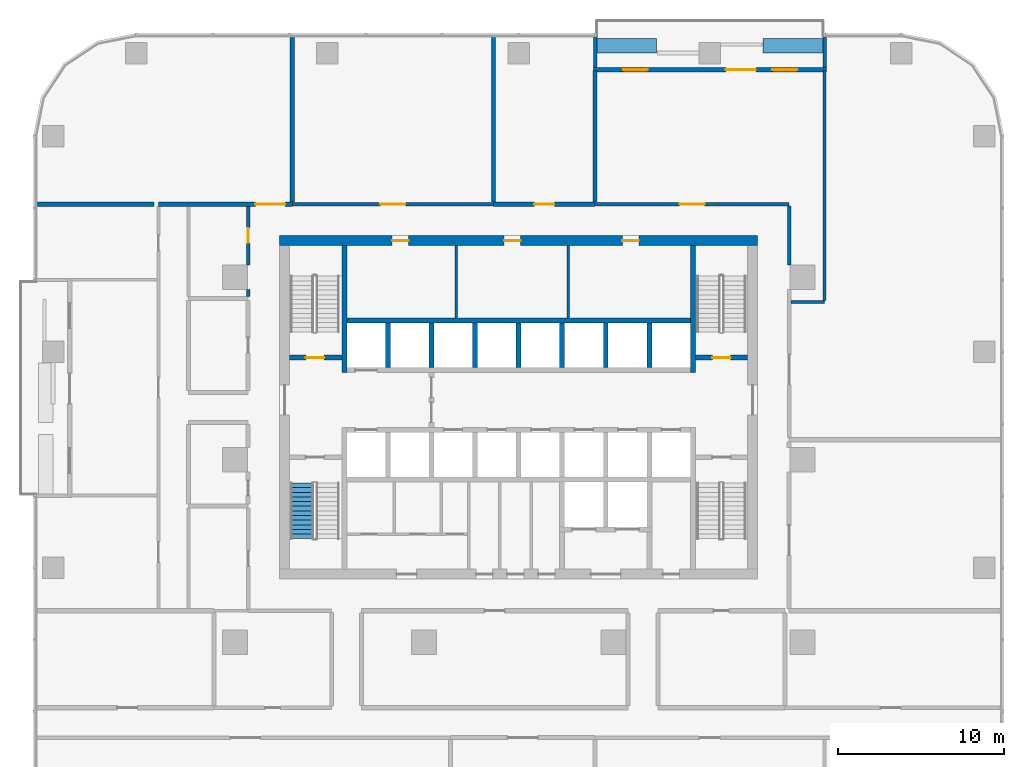
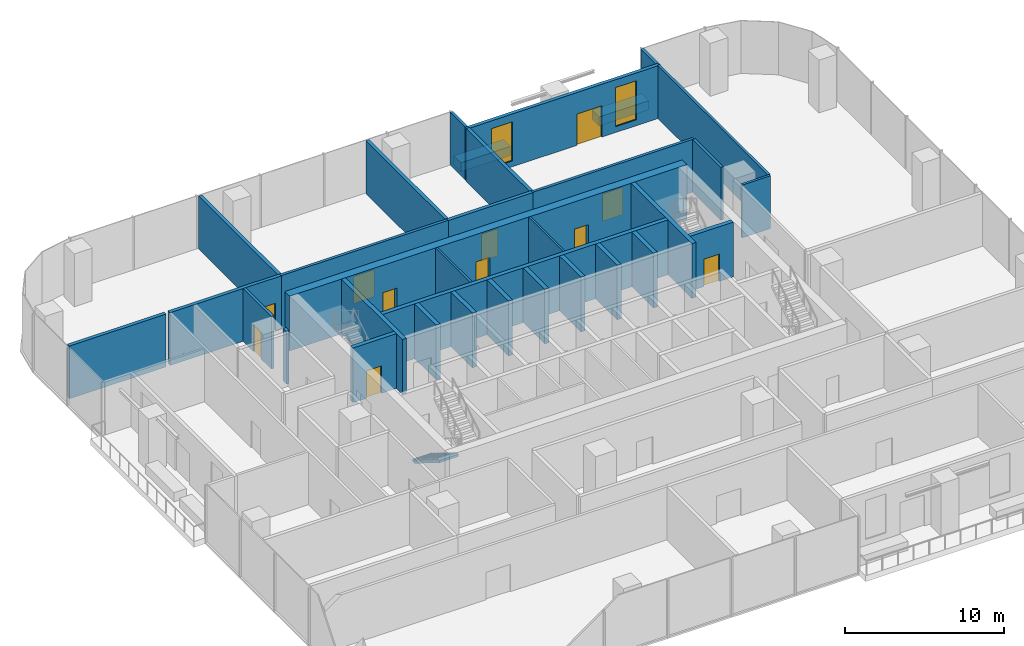
# One storey, part 10 of 15: 33 walls, 11 doors, 2 windows, 1 stair flight, 13 openings, 1 element without a shape of its own.
"""IFC4 building model written with IfcOpenShell, lengths in metres."""

from ifc_helpers import new_model, si_unit, direction, frame, frame_2d, origin, place, context, subcontext, project, spatial, polyline, rectangle, outline, extrude, material, layer, layer_set, type_object, element, fill, aggregate, save


model = new_model("IFC4")

# Units and contexts
model_context = context("Model", 3, precision=1e-05, world=origin(), true_north=direction((0.0, 1.0)))
body_context = subcontext(model_context, "Body", "Model", "MODEL_VIEW")
ifc_project = project(units=[si_unit("LENGTHUNIT", "METRE"), si_unit("AREAUNIT", "SQUARE_METRE"), si_unit("VOLUMEUNIT", "CUBIC_METRE"), si_unit("PLANEANGLEUNIT", "RADIAN"), si_unit("MASSUNIT", "GRAM", prefix="KILO")], contexts=[model_context])

# Site, building, storey
site_placement = place(None, origin())
site = spatial("IfcSite", under=ifc_project, at=site_placement, CompositionType="ELEMENT")
building_placement = place(site_placement, origin())
building = spatial("IfcBuilding", under=site, at=building_placement, Name="Mopane Tessera Tower", CompositionType="ELEMENT")
storey_placement = place(building_placement, frame((0.0, 0.0, 112.60009765625)))
storey = spatial("IfcBuildingStorey", under=building, at=storey_placement, Name="L22", CompositionType="ELEMENT", Elevation=112.60009765625)

# Walls
ifc_material_1 = material(Name="Fire-rated gypsum board partition")
ifc_layer_1 = layer(ifc_material_1, 0.14990234375)
ifc_layer_set_1 = layer_set([ifc_layer_1], Name="Fire-rated gypsum board partition")
wall_type_1 = type_object("IfcWallType", Name="Core room partition 150 mm", PredefinedType="PARTITIONING", material=ifc_layer_set_1)
for number, where, z_axis, x_axis, name in (
    (1, (-3.75, 8.550048828125, 0.0), (0.0, 0.0, 1.0), (0.0, 1.0, 0.0), "L22 Room partition"),
    (2, (3.0, 8.550048828125, 0.0), (0.0, 0.0, 1.0), (0.0, 1.0, 0.0), "L22 Room partition"),
):
    element("IfcWall", number, at=place(storey_placement, frame(where, z_axis=z_axis, x_axis=x_axis)), inside=storey, type_object=wall_type_1, Name=name, PredefinedType="PARTITIONING", context=body_context, shape_type="SweptSolid", body=[
        extrude(rectangle(XDim=4.349853515625, YDim=0.14990234375, at=frame_2d((2.1748046875, 0.0))), origin(), (0.0, 0.0, 1.0), 4.199951171875),
    ])

# Wall, openings, doors
ifc_material_2 = material(Name="Concrete C70/85", Category="concrete")
ifc_layer_2 = layer(ifc_material_2, 0.60009765625)
ifc_layer_set_2 = layer_set([ifc_layer_2], Name="Concrete C70/85")
wall_type_2 = type_object("IfcWallType", Name="Core shear wall 600 mm", PredefinedType="SHEAR", material=ifc_layer_set_2)
wall_1_placement = place(storey_placement, frame((-14.39990234375, 13.199951171875, 0.0), z_axis=(0.0, 0.0, 1.0), x_axis=(1.0, 0.0, 0.0)))
wall_1 = element("IfcWall", 3, at=wall_1_placement, inside=storey, type_object=wall_type_2, Name="L22 Core wall north", PredefinedType="SHEAR", context=body_context, shape_type="SweptSolid", body=[
    extrude(rectangle(XDim=28.7998046875, YDim=0.60009765625, at=frame_2d((14.39990234375, 0.0))), origin(), (0.0, 0.0, 1.0), 4.199951171875),
])
opening_1_placement = place(wall_1_placement, frame((6.77490234375, 0.0, 0.0)))
opening_1 = element("IfcOpeningElement", 4, at=opening_1_placement, cuts=wall_1, Name="Opening RD1", PredefinedType="OPENING", context=body_context, shape_type="SweptSolid", body=[
    extrude(rectangle(XDim=1.0, YDim=2.10009765625, at=frame_2d((0.5, 1.050048828125))), frame((0.0, 0.31201171875, 0.0), z_axis=(0.0, -1.0, 0.0), x_axis=(1.0, 0.0, 0.0)), (0.0, 0.0, 1.0), 0.6240234375),
])
opening_2_placement = place(wall_1_placement, frame((13.52490234375, 0.0, 0.0)))
opening_2 = element("IfcOpeningElement", 5, at=opening_2_placement, cuts=wall_1, Name="Opening RD1", PredefinedType="OPENING", context=body_context, shape_type="SweptSolid", body=[
    extrude(rectangle(XDim=1.0, YDim=2.10009765625, at=frame_2d((0.5, 1.050048828125))), frame((0.0, 0.31201171875, 0.0), z_axis=(0.0, -1.0, 0.0), x_axis=(1.0, 0.0, 0.0)), (0.0, 0.0, 1.0), 0.6240234375),
])
opening_3_placement = place(wall_1_placement, frame((20.64990234375, 0.0, 0.0)))
opening_3 = element("IfcOpeningElement", 6, at=opening_3_placement, cuts=wall_1, Name="Opening RD1", PredefinedType="OPENING", context=body_context, shape_type="SweptSolid", body=[
    extrude(rectangle(XDim=1.0, YDim=2.10009765625, at=frame_2d((0.5, 1.050048828125))), frame((0.0, 0.31201171875, 0.0), z_axis=(0.0, -1.0, 0.0), x_axis=(1.0, 0.0, 0.0)), (0.0, 0.0, 1.0), 0.6240234375),
])
ifc_material_3 = material(Name="Timber door", Category="wood")
door_type_1 = type_object("IfcDoorType", Name="Core room door 1000 x 2100", OperationType="SINGLE_SWING_LEFT", PredefinedType="DOOR", material=ifc_material_3)
door_1_placement = place(opening_1_placement, origin())
door_1 = element("IfcDoor", 7, at=door_1_placement, inside=storey, type_object=door_type_1, Name="L22 Room door", OperationType="SINGLE_SWING_LEFT", OverallHeight=2.10009765625, OverallWidth=1.0, PredefinedType="DOOR", context=body_context, shape_type="SweptSolid", body=[
    extrude(rectangle(XDim=1.0, YDim=2.10009765625, at=frame_2d((0.5, 1.050048828125))), frame((0.0, 0.02490234375, 0.0), z_axis=(0.0, -1.0, 0.0), x_axis=(1.0, 0.0, 0.0)), (0.0, 0.0, 1.0), 0.050048828125),
])
fill(opening_1, door_1)
door_2_placement = place(opening_2_placement, origin())
door_2 = element("IfcDoor", 8, at=door_2_placement, inside=storey, type_object=door_type_1, Name="L22 Room door", OperationType="SINGLE_SWING_LEFT", OverallHeight=2.10009765625, OverallWidth=1.0, PredefinedType="DOOR", context=body_context, shape_type="SweptSolid", body=[
    extrude(rectangle(XDim=1.0, YDim=2.10009765625, at=frame_2d((0.5, 1.050048828125))), frame((0.0, 0.02490234375, 0.0), z_axis=(0.0, -1.0, 0.0), x_axis=(1.0, 0.0, 0.0)), (0.0, 0.0, 1.0), 0.050048828125),
])
fill(opening_2, door_2)
door_3_placement = place(opening_3_placement, origin())
door_3 = element("IfcDoor", 9, at=door_3_placement, inside=storey, type_object=door_type_1, Name="L22 Room door", OperationType="SINGLE_SWING_LEFT", OverallHeight=2.10009765625, OverallWidth=1.0, PredefinedType="DOOR", context=body_context, shape_type="SweptSolid", body=[
    extrude(rectangle(XDim=1.0, YDim=2.10009765625, at=frame_2d((0.5, 1.050048828125))), frame((0.0, 0.02490234375, 0.0), z_axis=(0.0, -1.0, 0.0), x_axis=(1.0, 0.0, 0.0)), (0.0, 0.0, 1.0), 0.050048828125),
])
fill(opening_3, door_3)

# Walls
ifc_material_4 = material(Name="Concrete C60/75", Category="concrete")
ifc_layer_3 = layer(ifc_material_4, 0.300048828125)
ifc_layer_set_3 = layer_set([ifc_layer_3], Name="Concrete C60/75")
wall_type_3 = type_object("IfcWallType", Name="Core spine wall 300 mm", PredefinedType="SHEAR", material=ifc_layer_set_3)
for number, where, z_axis, x_axis, name in (
    (10, (-10.5, 5.25, 0.0), (0.0, 0.0, 1.0), (0.0, 1.0, 0.0), "L22 Core spine wall"),
    (11, (10.5, 5.25, 0.0), (0.0, 0.0, 1.0), (0.0, 1.0, 0.0), "L22 Core spine wall"),
):
    element("IfcWall", number, at=place(storey_placement, frame(where, z_axis=z_axis, x_axis=x_axis)), inside=storey, type_object=wall_type_3, Name=name, PredefinedType="SHEAR", context=body_context, shape_type="SweptSolid", body=[
        extrude(rectangle(XDim=7.64990234375, YDim=0.300048828125, at=frame_2d((3.824951171875, 0.0))), origin(), (0.0, 0.0, 1.0), 4.199951171875),
    ])
ifc_material_5 = material(Name="Gypsum board on staggered steel studs, double layer each face, acoustic mineral wool infill", Category="steel")
ifc_layer_4 = layer(ifc_material_5, 0.175048828125)
ifc_layer_set_4 = layer_set([ifc_layer_4], Name="Gypsum board on staggered steel studs, double layer each face, acoustic mineral wool infill")
wall_type_4 = type_object("IfcWallType", Name="Gypsum board acoustic partition 175, rated EI 60", PredefinedType="PARTITIONING", material=ifc_layer_set_4)
wall_2_placement = place(storey_placement, frame((16.39990234375, 9.5, 0.0), z_axis=(0.0, 0.0, 1.0), x_axis=(1.0, 0.0, 0.0)))
element("IfcWall", 12, at=wall_2_placement, inside=storey, type_object=wall_type_4, Name="Partition L22:019", PredefinedType="PARTITIONING", context=body_context, shape_type="SweptSolid", body=[
    extrude(rectangle(XDim=2.0400390625, YDim=0.175048828125, at=frame_2d((1.02001953125, 0.0))), origin(), (0.0, 0.0, 1.0), 4.0498046875),
])
wall_3_placement = place(storey_placement, frame((18.43994140625, 9.587890625, 0.0), z_axis=(0.0, 0.0, 1.0), x_axis=(0.0, 1.0, 0.0)))
element("IfcWall", 13, at=wall_3_placement, inside=storey, type_object=wall_type_4, Name="Partition L22:054", PredefinedType="PARTITIONING", context=body_context, shape_type="SweptSolid", body=[
    extrude(rectangle(XDim=13.862060546875, YDim=0.175048828125, at=frame_2d((6.93115234375, 0.0))), origin(), (0.0, 0.0, 1.0), 4.0498046875),
])

# Wall, opening, door
ifc_material_6 = material(Name="Gypsum board on steel studs, two layers each face, mineral wool infill", Category="steel")
ifc_layer_5 = layer(ifc_material_6, 0.199951171875)
ifc_layer_set_5 = layer_set([ifc_layer_5], Name="Gypsum board on steel studs, two layers each face, mineral wool infill")
wall_type_5 = type_object("IfcWallType", Name="Gypsum board corridor wall 200, rated EI 60", PredefinedType="PARTITIONING", material=ifc_layer_set_5)
wall_4_placement = place(storey_placement, frame((-13.639892578125, 15.39990234375, 0.0), z_axis=(0.0, 0.0, 1.0), x_axis=(1.0, 0.0, 0.0)))
wall_4 = element("IfcWall", 14, at=wall_4_placement, inside=storey, type_object=wall_type_5, Name="Partition L22:022", PredefinedType="PARTITIONING", context=body_context, shape_type="SweptSolid", body=[
    extrude(rectangle(XDim=12.125, YDim=0.199951171875, at=frame_2d((6.0625, 0.0))), origin(), (0.0, 0.0, 1.0), 4.0498046875),
])
opening_4_placement = place(wall_4_placement, frame((5.3125, 0.0, 0.0)))
opening_4 = element("IfcOpeningElement", 15, at=opening_4_placement, cuts=wall_4, Name="Opening L22-20", PredefinedType="OPENING", context=body_context, shape_type="SweptSolid", body=[
    extrude(rectangle(XDim=1.5, YDim=2.10009765625, at=frame_2d((0.75, 1.050048828125))), frame((0.0, 0.112060546875, 0.0), z_axis=(0.0, -1.0, 0.0), x_axis=(1.0, 0.0, 0.0)), (0.0, 0.0, 1.0), 0.223876953125),
])
ifc_material_7 = material(Name="Timber veneered steel-framed fire door", Category="steel")
door_type_2 = type_object("IfcDoorType", Name="Fire door pair FD60 1500 x 2100", OperationType="DOUBLE_DOOR_SINGLE_SWING", PredefinedType="DOOR", material=ifc_material_7)
door_4_placement = place(opening_4_placement, origin())
door_4 = element("IfcDoor", 16, at=door_4_placement, inside=storey, type_object=door_type_2, Name="Door L22-20", ObjectType="D17A", OperationType="DOUBLE_DOOR_SINGLE_SWING", OverallHeight=2.10009765625, OverallWidth=1.5, PredefinedType="DOOR", context=body_context, shape_type="SweptSolid", body=[
    extrude(rectangle(XDim=1.5, YDim=2.10009765625, at=frame_2d((0.75, 1.050048828125))), frame((0.0, 0.02490234375, 0.0), z_axis=(0.0, -1.0, 0.0), x_axis=(1.0, 0.0, 0.0)), (0.0, 0.0, 1.0), 0.050048828125),
])
fill(opening_4, door_4)

wall_5_placement = place(storey_placement, frame((4.610107421875, 15.39990234375, 0.0), z_axis=(0.0, 0.0, 1.0), x_axis=(1.0, 0.0, 0.0)))
wall_5 = element("IfcWall", 17, at=wall_5_placement, inside=storey, type_object=wall_type_5, Name="Partition L22:023", PredefinedType="PARTITIONING", context=body_context, shape_type="SweptSolid", body=[
    extrude(rectangle(XDim=11.68994140625, YDim=0.199951171875, at=frame_2d((5.844970703125, 0.0))), origin(), (0.0, 0.0, 1.0), 4.0498046875),
])
opening_5_placement = place(wall_5_placement, frame((5.094970703125, 0.0, 0.0)))
opening_5 = element("IfcOpeningElement", 18, at=opening_5_placement, cuts=wall_5, Name="Opening L22-18", PredefinedType="OPENING", context=body_context, shape_type="SweptSolid", body=[
    extrude(rectangle(XDim=1.5, YDim=2.10009765625, at=frame_2d((0.75, 1.050048828125))), frame((0.0, 0.112060546875, 0.0), z_axis=(0.0, -1.0, 0.0), x_axis=(1.0, 0.0, 0.0)), (0.0, 0.0, 1.0), 0.223876953125),
])
door_5_placement = place(opening_5_placement, origin())
door_5 = element("IfcDoor", 19, at=door_5_placement, inside=storey, type_object=door_type_2, Name="Door L22-18", ObjectType="D17A", OperationType="DOUBLE_DOOR_SINGLE_SWING", OverallHeight=2.10009765625, OverallWidth=1.5, PredefinedType="DOOR", context=body_context, shape_type="SweptSolid", body=[
    extrude(rectangle(XDim=1.5, YDim=2.10009765625, at=frame_2d((0.75, 1.050048828125))), frame((0.0, 0.02490234375, 0.0), z_axis=(0.0, -1.0, 0.0), x_axis=(1.0, 0.0, 0.0)), (0.0, 0.0, 1.0), 0.050048828125),
])
fill(opening_5, door_5)

# Wall
wall_6_placement = place(storey_placement, frame((-16.300048828125, 9.85009765625, 0.0), z_axis=(0.0, 0.0, 1.0), x_axis=(0.0, 1.0, 0.0)))
element("IfcWall", 20, at=wall_6_placement, inside=storey, type_object=wall_type_5, Name="Partition L22:034", PredefinedType="PARTITIONING", context=body_context, shape_type="SweptSolid", body=[
    extrude(rectangle(XDim=0.39990234375, YDim=0.199951171875, at=frame_2d((0.199951171875, 0.0))), origin(), (0.0, 0.0, 1.0), 4.0498046875),
])

# Wall, opening, door
wall_7_placement = place(storey_placement, frame((-16.300048828125, 11.75, 0.0), z_axis=(0.0, 0.0, 1.0), x_axis=(0.0, 1.0, 0.0)))
wall_7 = element("IfcWall", 21, at=wall_7_placement, inside=storey, type_object=wall_type_5, Name="Partition L22:035", PredefinedType="PARTITIONING", context=body_context, shape_type="SweptSolid", body=[
    extrude(rectangle(XDim=3.52490234375, YDim=0.199951171875, at=frame_2d((1.762451171875, 0.0))), origin(), (0.0, 0.0, 1.0), 4.0498046875),
])
opening_6_placement = place(wall_7_placement, frame((1.3125, 0.0, 0.0)))
opening_6 = element("IfcOpeningElement", 22, at=opening_6_placement, cuts=wall_7, Name="Opening L22-19", PredefinedType="OPENING", context=body_context, shape_type="SweptSolid", body=[
    extrude(rectangle(XDim=0.89990234375, YDim=2.10009765625, at=frame_2d((0.449951171875, 1.050048828125))), frame((0.0, 0.112060546875, 0.0), z_axis=(0.0, -1.0, 0.0), x_axis=(1.0, 0.0, 0.0)), (0.0, 0.0, 1.0), 0.223876953125),
])
ifc_material_8 = material(Name="Timber veneered steel-framed fire door", Category="steel")
door_type_3 = type_object("IfcDoorType", Name="Fire door FD60 900 x 2100", OperationType="SINGLE_SWING_LEFT", PredefinedType="DOOR", material=ifc_material_8)
door_6_placement = place(opening_6_placement, origin())
door_6 = element("IfcDoor", 23, at=door_6_placement, inside=storey, type_object=door_type_3, Name="Door L22-19", ObjectType="D10A", OperationType="SINGLE_SWING_RIGHT", OverallHeight=2.10009765625, OverallWidth=0.89990234375, PredefinedType="DOOR", context=body_context, shape_type="SweptSolid", body=[
    extrude(rectangle(XDim=0.89990234375, YDim=2.10009765625, at=frame_2d((0.449951171875, 1.050048828125))), frame((0.0, 0.02490234375, 0.0), z_axis=(0.0, -1.0, 0.0), x_axis=(1.0, 0.0, 0.0)), (0.0, 0.0, 1.0), 0.050048828125),
])
fill(opening_6, door_6)

# Wall
wall_8_placement = place(storey_placement, frame((16.300048828125, 11.75, 0.0), z_axis=(0.0, 0.0, 1.0), x_axis=(0.0, 1.0, 0.0)))
element("IfcWall", 24, at=wall_8_placement, inside=storey, type_object=wall_type_5, Name="Partition L22:050", PredefinedType="PARTITIONING", context=body_context, shape_type="SweptSolid", body=[
    extrude(rectangle(XDim=3.550048828125, YDim=0.199951171875, at=frame_2d((1.77490234375, 0.0))), origin(), (0.0, 0.0, 1.0), 4.0498046875),
])

# Wall, opening, door
ifc_material_9 = material(Name="Concrete C50/60", Category="concrete")
ifc_layer_6 = layer(ifc_material_9, 0.300048828125)
ifc_layer_set_6 = layer_set([ifc_layer_6], Name="Concrete C50/60")
wall_type_6 = type_object("IfcWallType", Name="Lift and stair shaft wall 300 mm", PredefinedType="SOLIDWALL", material=ifc_layer_set_6)
wall_9_placement = place(storey_placement, frame((-13.800048828125, 6.14990234375, 0.0), z_axis=(0.0, 0.0, 1.0), x_axis=(1.0, 0.0, 0.0)))
wall_9 = element("IfcWall", 25, at=wall_9_placement, inside=storey, type_object=wall_type_6, Name="L22 Stair enclosure wall", PredefinedType="SOLIDWALL", context=body_context, shape_type="SweptSolid", body=[
    extrude(rectangle(XDim=3.150146484375, YDim=0.300048828125, at=frame_2d((1.5751953125, 0.0))), origin(), (0.0, 0.0, 1.0), 4.199951171875),
])
opening_7_placement = place(wall_9_placement, frame((0.97509765625, 0.0, 0.0)))
opening_7 = element("IfcOpeningElement", 26, at=opening_7_placement, cuts=wall_9, Name="Opening SD1", PredefinedType="OPENING", context=body_context, shape_type="SweptSolid", body=[
    extrude(rectangle(XDim=1.10009765625, YDim=2.10009765625, at=frame_2d((0.550048828125, 1.050048828125))), frame((0.0, 0.162109375, 0.0), z_axis=(0.0, -1.0, 0.0), x_axis=(1.0, 0.0, 0.0)), (0.0, 0.0, 1.0), 0.323974609375),
])
ifc_material_10 = material(Name="Steel fire door", Category="steel")
door_type_4 = type_object("IfcDoorType", Name="Stair fire door 1100 x 2100", OperationType="SINGLE_SWING_LEFT", PredefinedType="DOOR", material=ifc_material_10)
door_7_placement = place(opening_7_placement, origin())
door_7 = element("IfcDoor", 27, at=door_7_placement, inside=storey, type_object=door_type_4, Name="L22 Stair door ST2", OperationType="SINGLE_SWING_LEFT", OverallHeight=2.10009765625, OverallWidth=1.10009765625, PredefinedType="DOOR", context=body_context, shape_type="SweptSolid", body=[
    extrude(rectangle(XDim=1.10009765625, YDim=2.10009765625, at=frame_2d((0.550048828125, 1.050048828125))), frame((0.0, 0.02490234375, 0.0), z_axis=(0.0, -1.0, 0.0), x_axis=(1.0, 0.0, 0.0)), (0.0, 0.0, 1.0), 0.050048828125),
])
fill(opening_7, door_7)

wall_10_placement = place(storey_placement, frame((10.64990234375, 6.14990234375, 0.0), z_axis=(0.0, 0.0, 1.0), x_axis=(1.0, 0.0, 0.0)))
wall_10 = element("IfcWall", 28, at=wall_10_placement, inside=storey, type_object=wall_type_6, Name="L22 Stair enclosure wall", PredefinedType="SOLIDWALL", context=body_context, shape_type="SweptSolid", body=[
    extrude(rectangle(XDim=3.150146484375, YDim=0.300048828125, at=frame_2d((1.5751953125, 0.0))), origin(), (0.0, 0.0, 1.0), 4.199951171875),
])
opening_8_placement = place(wall_10_placement, frame((1.02490234375, 0.0, 0.0)))
opening_8 = element("IfcOpeningElement", 29, at=opening_8_placement, cuts=wall_10, Name="Opening SD1", PredefinedType="OPENING", context=body_context, shape_type="SweptSolid", body=[
    extrude(rectangle(XDim=1.10009765625, YDim=2.10009765625, at=frame_2d((0.550048828125, 1.050048828125))), frame((0.0, 0.162109375, 0.0), z_axis=(0.0, -1.0, 0.0), x_axis=(1.0, 0.0, 0.0)), (0.0, 0.0, 1.0), 0.323974609375),
])
door_8_placement = place(opening_8_placement, origin())
door_8 = element("IfcDoor", 30, at=door_8_placement, inside=storey, type_object=door_type_4, Name="L22 Stair door ST4", OperationType="SINGLE_SWING_RIGHT", OverallHeight=2.10009765625, OverallWidth=1.10009765625, PredefinedType="DOOR", context=body_context, shape_type="SweptSolid", body=[
    extrude(rectangle(XDim=1.10009765625, YDim=2.10009765625, at=frame_2d((0.550048828125, 1.050048828125))), frame((0.0, 0.02490234375, 0.0), z_axis=(0.0, -1.0, 0.0), x_axis=(1.0, 0.0, 0.0)), (0.0, 0.0, 1.0), 0.050048828125),
])
fill(opening_8, door_8)

# Walls
wall_11_placement = place(storey_placement, frame((-10.35009765625, 8.39990234375, 0.0), z_axis=(0.0, 0.0, 1.0), x_axis=(1.0, 0.0, 0.0)))
element("IfcWall", 31, at=wall_11_placement, inside=storey, type_object=wall_type_6, Name="L22 Lift shaft rear wall", PredefinedType="SOLIDWALL", context=body_context, shape_type="SweptSolid", body=[
    extrude(rectangle(XDim=20.7001953125, YDim=0.300048828125, at=frame_2d((10.35009765625, 0.0))), origin(), (0.0, 0.0, 1.0), 4.199951171875),
])
for number, where, z_axis, x_axis, name in (
    (32, (-7.875, 5.550048828125, 0.0), (0.0, 0.0, 1.0), (0.0, 1.0, 0.0), "L22 Lift shaft wall"),
    (33, (-5.25, 5.550048828125, 0.0), (0.0, 0.0, 1.0), (0.0, 1.0, 0.0), "L22 Lift shaft wall"),
    (34, (-2.625, 5.550048828125, 0.0), (0.0, 0.0, 1.0), (0.0, 1.0, 0.0), "L22 Lift shaft wall"),
    (35, (0.0, 5.550048828125, 0.0), (0.0, 0.0, 1.0), (0.0, 1.0, 0.0), "L22 Lift shaft wall"),
    (36, (2.625, 5.550048828125, 0.0), (0.0, 0.0, 1.0), (0.0, 1.0, 0.0), "L22 Lift shaft wall"),
    (37, (5.25, 5.550048828125, 0.0), (0.0, 0.0, 1.0), (0.0, 1.0, 0.0), "L22 Lift shaft wall"),
    (38, (7.875, 5.550048828125, 0.0), (0.0, 0.0, 1.0), (0.0, 1.0, 0.0), "L22 Lift shaft wall"),
):
    element("IfcWall", number, at=place(storey_placement, frame(where, z_axis=z_axis, x_axis=x_axis)), inside=storey, type_object=wall_type_6, Name=name, PredefinedType="SOLIDWALL", context=body_context, shape_type="SweptSolid", body=[
        extrude(rectangle(XDim=2.699951171875, YDim=0.300048828125, at=frame_2d((1.35009765625, 0.0))), origin(), (0.0, 0.0, 1.0), 4.199951171875),
    ])
ifc_material_11 = material(Name="Reinforced concrete C32/40 with waterproofing", Category="concrete")
ifc_layer_7 = layer(ifc_material_11, 0.89990234375)
ifc_layer_set_7 = layer_set([ifc_layer_7], Name="Reinforced concrete C32/40 with waterproofing")
wall_type_7 = type_object("IfcWallType", Name="Planter trough 3600 x 900", PredefinedType="STANDARD", material=ifc_layer_set_7)
for number, where, z_axis, x_axis, name in (
    (39, (18.340087890625, 24.949951171875, 0.0), (0.0, 0.0, 1.0), (-1.0, 0.0, 0.0), "e:nw:L22:N1:pl0"),
    (40, (8.31005859375, 24.949951171875, 0.0), (0.0, 0.0, 1.0), (-1.0, 0.0, 0.0), "e:nw:L22:N1:pl1"),
):
    element("IfcWall", number, at=place(storey_placement, frame(where, z_axis=z_axis, x_axis=x_axis)), inside=storey, type_object=wall_type_7, Name=name, PredefinedType="STANDARD", context=body_context, shape_type="SweptSolid", body=[
        extrude(rectangle(XDim=3.60009765625, YDim=0.89990234375, at=frame_2d((1.800048828125, 0.0))), origin(), (0.0, 0.0, 1.0), 0.699951171875),
    ])
ifc_material_12 = material(Name="Plastered concrete blockwork C20/25", Category="masonry")
ifc_layer_8 = layer(ifc_material_12, 0.25)
ifc_layer_set_8 = layer_set([ifc_layer_8], Name="Plastered concrete blockwork C20/25")
wall_type_8 = type_object("IfcWallType", Name="Plastered blockwork wall 250, rated EI 120", PredefinedType="PARTITIONING", material=ifc_layer_set_8)
wall_12_placement = place(storey_placement, frame((-29.0, 15.39990234375, 0.0), z_axis=(0.0, 0.0, 1.0), x_axis=(1.0, 0.0, 0.0)))
element("IfcWall", 41, at=wall_12_placement, inside=storey, type_object=wall_type_8, Name="Partition L22:024", PredefinedType="PARTITIONING", context=body_context, shape_type="SweptSolid", body=[
    extrude(rectangle(XDim=7.014892578125, YDim=0.25, at=frame_2d((3.50732421875, 0.0))), origin(), (0.0, 0.0, 1.0), 4.0498046875),
])

# Wall, opening, door
wall_13_placement = place(storey_placement, frame((-21.699951171875, 15.39990234375, 0.0), z_axis=(0.0, 0.0, 1.0), x_axis=(1.0, 0.0, 0.0)))
wall_13 = element("IfcWall", 42, at=wall_13_placement, inside=storey, type_object=wall_type_8, Name="Partition L22:025", PredefinedType="PARTITIONING", context=body_context, shape_type="SweptSolid", body=[
    extrude(rectangle(XDim=8.06005859375, YDim=0.25, at=frame_2d((4.030029296875, 0.0))), origin(), (0.0, 0.0, 1.0), 4.0498046875),
])
opening_9_placement = place(wall_13_placement, frame((5.830078125, 0.0, 0.0)))
opening_9 = element("IfcOpeningElement", 43, at=opening_9_placement, cuts=wall_13, Name="Opening L22-12", PredefinedType="OPENING", context=body_context, shape_type="SweptSolid", body=[
    extrude(rectangle(XDim=1.800048828125, YDim=2.10009765625, at=frame_2d((0.89990234375, 1.050048828125))), frame((0.0, 0.136962890625, 0.0), z_axis=(0.0, -1.0, 0.0), x_axis=(1.0, 0.0, 0.0)), (0.0, 0.0, 1.0), 0.27392578125),
])
ifc_material_13 = material(Name="Timber veneered steel-framed fire door", Category="steel")
door_type_5 = type_object("IfcDoorType", Name="Fire door pair FD120 1800 x 2100", OperationType="DOUBLE_DOOR_SINGLE_SWING", PredefinedType="DOOR", material=ifc_material_13)
door_9_placement = place(opening_9_placement, origin())
door_9 = element("IfcDoor", 44, at=door_9_placement, inside=storey, type_object=door_type_5, Name="Door L22-12", ObjectType="D20B", OperationType="DOUBLE_DOOR_SINGLE_SWING", OverallHeight=2.10009765625, OverallWidth=1.800048828125, PredefinedType="DOOR", context=body_context, shape_type="SweptSolid", body=[
    extrude(rectangle(XDim=1.800048828125, YDim=2.10009765625, at=frame_2d((0.89990234375, 1.050048828125))), frame((0.0, 0.02490234375, 0.0), z_axis=(0.0, -1.0, 0.0), x_axis=(1.0, 0.0, 0.0)), (0.0, 0.0, 1.0), 0.050048828125),
])
fill(opening_9, door_9)

wall_14_placement = place(storey_placement, frame((-1.514892578125, 15.39990234375, 0.0), z_axis=(0.0, 0.0, 1.0), x_axis=(1.0, 0.0, 0.0)))
wall_14 = element("IfcWall", 45, at=wall_14_placement, inside=storey, type_object=wall_type_8, Name="Partition L22:026", PredefinedType="PARTITIONING", context=body_context, shape_type="SweptSolid", body=[
    extrude(rectangle(XDim=6.125, YDim=0.25, at=frame_2d((3.0625, 0.0))), origin(), (0.0, 0.0, 1.0), 4.0498046875),
])
opening_10_placement = place(wall_14_placement, frame((2.46240234375, 0.0, 0.0)))
opening_10 = element("IfcOpeningElement", 46, at=opening_10_placement, cuts=wall_14, Name="Opening L22-02", PredefinedType="OPENING", context=body_context, shape_type="SweptSolid", body=[
    extrude(rectangle(XDim=1.199951171875, YDim=2.10009765625, at=frame_2d((0.60009765625, 1.050048828125))), frame((0.0, 0.136962890625, 0.0), z_axis=(0.0, -1.0, 0.0), x_axis=(1.0, 0.0, 0.0)), (0.0, 0.0, 1.0), 0.27392578125),
])
ifc_material_14 = material(Name="Timber veneered steel-framed fire door", Category="steel")
door_type_6 = type_object("IfcDoorType", Name="Fire door FD120 1200 x 2100", OperationType="SINGLE_SWING_LEFT", PredefinedType="DOOR", material=ifc_material_14)
door_10_placement = place(opening_10_placement, origin())
door_10 = element("IfcDoor", 47, at=door_10_placement, inside=storey, type_object=door_type_6, Name="Door L22-02", ObjectType="D15B", OperationType="SINGLE_SWING_RIGHT", OverallHeight=2.10009765625, OverallWidth=1.199951171875, PredefinedType="DOOR", context=body_context, shape_type="SweptSolid", body=[
    extrude(rectangle(XDim=1.199951171875, YDim=2.10009765625, at=frame_2d((0.60009765625, 1.050048828125))), frame((0.0, 0.02490234375, 0.0), z_axis=(0.0, -1.0, 0.0), x_axis=(1.0, 0.0, 0.0)), (0.0, 0.0, 1.0), 0.050048828125),
])
fill(opening_10, door_10)

# Walls
for number, where, z_axis, x_axis, name in (
    (48, (-13.639892578125, 15.52490234375, 0.0), (0.0, 0.0, 1.0), (0.0, 1.0, 0.0), "Partition L22:039"),
    (49, (-1.514892578125, 15.52490234375, 0.0), (0.0, 0.0, 1.0), (0.0, 1.0, 0.0), "Partition L22:043"),
):
    element("IfcWall", number, at=place(storey_placement, frame(where, z_axis=z_axis, x_axis=x_axis)), inside=storey, type_object=wall_type_8, Name=name, PredefinedType="PARTITIONING", context=body_context, shape_type="SweptSolid", body=[
        extrude(rectangle(XDim=9.925048828125, YDim=0.25, at=frame_2d((4.96240234375, 0.0))), origin(), (0.0, 0.0, 1.0), 4.0498046875),
    ])
wall_15_placement = place(storey_placement, frame((4.610107421875, 15.52490234375, 0.0), z_axis=(0.0, 0.0, 1.0), x_axis=(0.0, 1.0, 0.0)))
element("IfcWall", 50, at=wall_15_placement, inside=storey, type_object=wall_type_8, Name="Partition L22:045", PredefinedType="PARTITIONING", context=body_context, shape_type="SweptSolid", body=[
    extrude(rectangle(XDim=7.925048828125, YDim=0.25, at=frame_2d((3.96240234375, 0.0))), origin(), (0.0, 0.0, 1.0), 4.0498046875),
])
ifc_material_15 = material(Name="Blockwork with glazed tile facing", Category="masonry")
ifc_layer_9 = layer(ifc_material_15, 0.199951171875)
ifc_layer_set_9 = layer_set([ifc_layer_9], Name="Blockwork with glazed tile facing")
wall_type_9 = type_object("IfcWallType", Name="Terrace cheek wall 200", PredefinedType="STANDARD", material=ifc_layer_set_9)
for number, where, z_axis, x_axis, name in (
    (51, (18.43994140625, 25.5, 0.0), (0.0, 0.0, 1.0), (0.0, -1.0, 0.0), "e:nw:L22:N1:cheeka"),
    (52, (4.610107421875, 25.5, 0.0), (0.0, 0.0, 1.0), (0.0, -1.0, 0.0), "e:nw:L22:N1:cheekb"),
):
    element("IfcWall", number, at=place(storey_placement, frame(where, z_axis=z_axis, x_axis=x_axis)), inside=storey, type_object=wall_type_9, Name=name, PredefinedType="STANDARD", context=body_context, shape_type="SweptSolid", body=[
        extrude(rectangle(XDim=1.875, YDim=0.199951171875, at=frame_2d((0.9375, 0.0))), origin(), (0.0, 0.0, 1.0), 4.0498046875),
    ])

# Wall, openings, windows, door
ifc_material_16 = material(Name="Blockwork with turquoise glazed tile facing", Category="masonry")
ifc_layer_10 = layer(ifc_material_16, 0.25)
ifc_layer_set_10 = layer_set([ifc_layer_10], Name="Blockwork with turquoise glazed tile facing")
wall_type_10 = type_object("IfcWallType", Name="Tile-clad external wall 250, turquoise", PredefinedType="STANDARD", material=ifc_layer_set_10)
wall_16_placement = place(storey_placement, frame((18.5400390625, 23.5, 0.0), z_axis=(0.0, 0.0, 1.0), x_axis=(-1.0, 0.0, 0.0)))
wall_16 = element("IfcWall", 53, at=wall_16_placement, inside=storey, type_object=wall_type_10, Name="e:nw:L22:N1:back", PredefinedType="STANDARD", context=body_context, shape_type="SweptSolid", body=[
    extrude(rectangle(XDim=14.030029296875, YDim=0.25, at=frame_2d((7.01513671875, 0.0))), origin(), (0.0, 0.0, 1.0), 4.0498046875),
])
opening_11_placement = place(wall_16_placement, frame((1.75, 0.0, 0.449951171875)))
opening_11 = element("IfcOpeningElement", 54, at=opening_11_placement, cuts=wall_16, Name="Opening NW221A", PredefinedType="OPENING", context=body_context, shape_type="SweptSolid", body=[
    extrude(rectangle(XDim=1.5, YDim=3.0, at=frame_2d((0.75, 1.5))), frame((0.0, 0.136962890625, 0.0), z_axis=(0.0, -1.0, 0.0), x_axis=(1.0, 0.0, 0.0)), (0.0, 0.0, 1.0), 0.27392578125),
])
opening_12_placement = place(wall_16_placement, frame((4.25, 0.0, 0.0)))
opening_12 = element("IfcOpeningElement", 55, at=opening_12_placement, cuts=wall_16, Name="Opening ND221", PredefinedType="OPENING", context=body_context, shape_type="SweptSolid", body=[
    extrude(rectangle(XDim=1.800048828125, YDim=2.39990234375, at=frame_2d((0.89990234375, 1.199951171875))), frame((0.0, 0.136962890625, 0.0), z_axis=(0.0, -1.0, 0.0), x_axis=(1.0, 0.0, 0.0)), (0.0, 0.0, 1.0), 0.27392578125),
])
opening_13_placement = place(wall_16_placement, frame((10.75, 0.0, 0.449951171875)))
opening_13 = element("IfcOpeningElement", 56, at=opening_13_placement, cuts=wall_16, Name="Opening NW221B", PredefinedType="OPENING", context=body_context, shape_type="SweptSolid", body=[
    extrude(rectangle(XDim=1.5, YDim=3.0, at=frame_2d((0.75, 1.5))), frame((0.0, 0.136962890625, 0.0), z_axis=(0.0, -1.0, 0.0), x_axis=(1.0, 0.0, 0.0)), (0.0, 0.0, 1.0), 0.27392578125),
])
ifc_material_17 = material(Name="Clear laminated glass", Category="glass")
window_type = type_object("IfcWindowType", Name="Fixed window 1500 x 3000", PartitioningType="SINGLE_PANEL", PredefinedType="WINDOW", material=ifc_material_17)
window_1_placement = place(opening_11_placement, origin())
window_1 = element("IfcWindow", 57, at=window_1_placement, inside=storey, type_object=window_type, Name="e:nw:L22:N1:win0", OverallHeight=3.0, OverallWidth=1.5, PartitioningType="SINGLE_PANEL", PredefinedType="WINDOW", context=body_context, shape_type="SweptSolid", body=[
    extrude(rectangle(XDim=1.5, YDim=3.0, at=frame_2d((0.75, 1.5))), frame((0.0, 0.030029296875, 0.0), z_axis=(0.0, -1.0, 0.0), x_axis=(1.0, 0.0, 0.0)), (0.0, 0.0, 1.0), 0.06005859375),
])
fill(opening_11, window_1)
window_2_placement = place(opening_13_placement, origin())
window_2 = element("IfcWindow", 58, at=window_2_placement, inside=storey, type_object=window_type, Name="e:nw:L22:N1:win2", OverallHeight=3.0, OverallWidth=1.5, PartitioningType="SINGLE_PANEL", PredefinedType="WINDOW", context=body_context, shape_type="SweptSolid", body=[
    extrude(rectangle(XDim=1.5, YDim=3.0, at=frame_2d((0.75, 1.5))), frame((0.0, 0.030029296875, 0.0), z_axis=(0.0, -1.0, 0.0), x_axis=(1.0, 0.0, 0.0)), (0.0, 0.0, 1.0), 0.06005859375),
])
fill(opening_13, window_2)
ifc_material_18 = material(Name="Aluminium and clear glass", Category="aluminium")
door_type_7 = type_object("IfcDoorType", Name="Terrace double door 1800 x 2400", OperationType="DOUBLE_DOOR_SINGLE_SWING", PredefinedType="DOOR", material=ifc_material_18)
door_11_placement = place(opening_12_placement, origin())
door_11 = element("IfcDoor", 59, at=door_11_placement, inside=storey, type_object=door_type_7, Name="e:nw:L22:N1:door", ObjectType="D1", OperationType="DOUBLE_DOOR_SINGLE_SWING", OverallHeight=2.39990234375, OverallWidth=1.800048828125, PredefinedType="DOOR", context=body_context, shape_type="SweptSolid", body=[
    extrude(rectangle(XDim=1.800048828125, YDim=2.39990234375, at=frame_2d((0.89990234375, 1.199951171875))), frame((0.0, 0.02490234375, 0.0), z_axis=(0.0, -1.0, 0.0), x_axis=(1.0, 0.0, 0.0)), (0.0, 0.0, 1.0), 0.050048828125),
])
fill(opening_12, door_11)

# Stair, stair flight
ifc_material_19 = material(Name="Concrete C50/60", Category="concrete")
stair_type = type_object("IfcStairType", Name="Escape stair 1400 mm, riser 173 mm", PredefinedType="HALF_TURN_STAIR", material=ifc_material_19)
stair_placement = place(storey_placement, origin())
stair = element("IfcStair", 60, at=stair_placement, inside=storey, type_object=stair_type, Name="L22 Escape stair south-west", PredefinedType="HALF_TURN_STAIR")
ifc_material_20 = material(Name="Concrete C50/60", Category="concrete")
stair_flight_type = type_object("IfcStairFlightType", Name="Escape stair flight 1400 mm", PredefinedType="STRAIGHT", material=ifc_material_20)
stair_flight_placement = place(storey_placement, frame((-13.050048828125, -1.39990234375, 0.0), z_axis=(0.0, 0.0, 1.0), x_axis=(0.0, -1.0, 0.0)))
stair_flight = element("IfcStairFlight", 61, at=stair_flight_placement, type_object=stair_flight_type, Name="ST1 flight 1", NumberOfRisers=13, NumberOfTreads=12, PredefinedType="STRAIGHT", RiserHeight=0.173076923, TreadLength=0.28, context=body_context, shape_type="SweptSolid", body=[
    extrude(outline(polyline([(0.0, 0.0), (0.0, 0.173095703125), (0.280029296875, 0.173095703125), (0.280029296875, 0.34619140625), (0.56005859375, 0.34619140625), (0.56005859375, 0.519287109375), (0.840087890625, 0.519287109375), (0.840087890625, 0.6923828125), (1.1201171875, 0.6923828125), (1.1201171875, 0.865478515625), (1.39990234375, 0.865478515625), (1.39990234375, 1.03857421875), (1.679931640625, 1.03857421875), (1.679931640625, 1.21142578125), (1.9599609375, 1.21142578125), (1.9599609375, 1.384521484375), (2.239990234375, 1.384521484375), (2.239990234375, 1.5576171875), (2.52001953125, 1.5576171875), (2.52001953125, 1.730712890625), (2.800048828125, 1.730712890625), (2.800048828125, 1.90380859375), (3.080078125, 1.90380859375), (3.080078125, 2.076904296875), (3.360107421875, 2.076904296875), (3.360107421875, 2.25), (3.360107421875, 1.900634765625), (0.28515625, 0.0), (0.0, 0.0)])), frame((0.0, 0.699951171875, 0.0), z_axis=(0.0, -1.0, 0.0), x_axis=(1.0, 0.0, 0.0)), (0.0, 0.0, 1.0), 1.39990234375),
])
aggregate(stair, [stair_flight])

save(model, "model.ifc")
